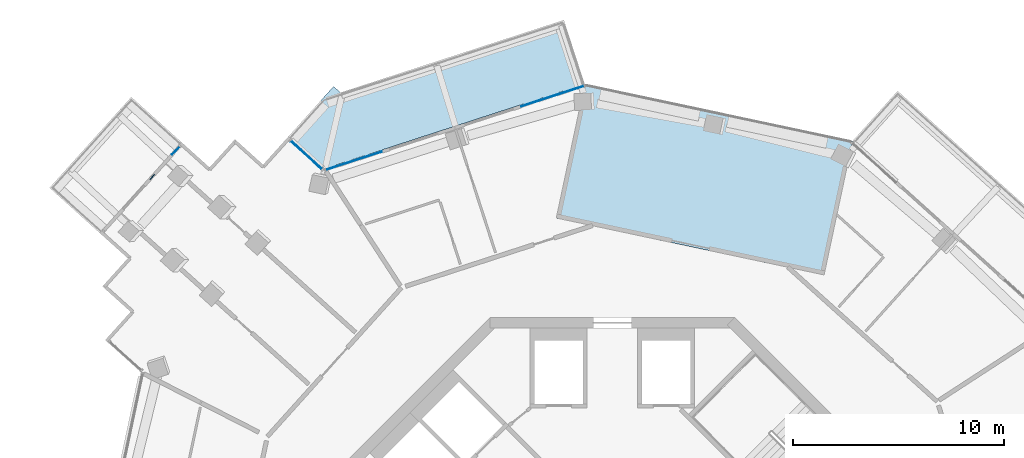
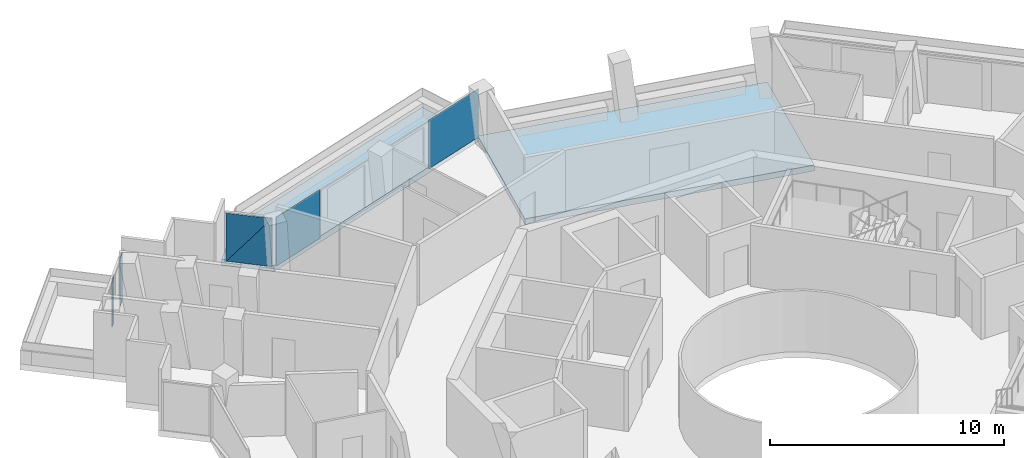
# One storey, part 12 of 22: 6 plates, 2 slabs, 3 elements without a shape of their own.
"""IFC4 building model written with IfcOpenShell, lengths in metres."""

from ifc_helpers import new_model, si_unit, direction, frame, origin, origin_2d, place, context, subcontext, project, spatial, polyline, rectangle, outline, extrude, material, layer, layer_set, type_object, element, aggregate, save


model = new_model("IFC4")

# Units and contexts
model_context = context("Model", 3, precision=1e-05, world=origin(), true_north=direction((0.0, 1.0)))
body_context = subcontext(model_context, "Body", "Model", "MODEL_VIEW")
ifc_project = project(units=[si_unit("LENGTHUNIT", "METRE"), si_unit("AREAUNIT", "SQUARE_METRE"), si_unit("VOLUMEUNIT", "CUBIC_METRE"), si_unit("PLANEANGLEUNIT", "RADIAN"), si_unit("MASSUNIT", "GRAM", prefix="KILO")], contexts=[model_context])

# Site, building, storey
site_placement = place(None, origin())
site = spatial("IfcSite", under=ifc_project, at=site_placement, CompositionType="ELEMENT")
building_placement = place(site_placement, origin())
building = spatial("IfcBuilding", under=site, at=building_placement, Name="Verdalira Terraces Hotel", CompositionType="ELEMENT")
storey_placement = place(building_placement, frame((0.0, 0.0, 230.5)))
storey = spatial("IfcBuildingStorey", under=building, at=storey_placement, Name="L56", CompositionType="ELEMENT", Elevation=230.5)

# Slab
ifc_material_1 = material(Name="Precast concrete C40/50", Category="concrete")
ifc_layer_1 = layer(ifc_material_1, 0.31005859375)
ifc_layer_set_1 = layer_set([ifc_layer_1], Name="Balcony deck 310")
slab_type_1 = type_object("IfcSlabType", Name="Balcony deck 310", PredefinedType="FLOOR", material=ifc_layer_set_1)
slab_1_placement = place(storey_placement, frame((0.0, 0.0, -0.310059)))
element("IfcSlab", 1, at=slab_1_placement, inside=storey, type_object=slab_type_1, Name="Balcony deck", PredefinedType="FLOOR", context=body_context, shape_type="SweptSolid", body=[
    extrude(outline(polyline([(-12.909912, 24.676758), (-13.236816, 24.971191), (-15.378174, 22.593018), (-13.678223, 21.0625), (-1.314453, 25.07959), (-2.303223, 28.123047), (-12.909912, 24.676758)])), origin(), (0.0, 0.0, 1.0), 0.310059),
])

# Curtain wall, plates
ifc_material_2 = material(Name="Clear glass", Category="glass")
ifc_layer_2 = layer(ifc_material_2, 0.14990234375)
ifc_layer_set_2 = layer_set([ifc_layer_2], Name="CW1 curtain wall")
curtain_wall_type_1 = type_object("IfcCurtainWallType", Name="CW1 curtain wall", PredefinedType="NOTDEFINED", material=ifc_layer_set_2)
curtain_wall_1_placement = place(storey_placement, origin())
curtain_wall_1 = element("IfcCurtainWall", 2, at=curtain_wall_1_placement, inside=storey, type_object=curtain_wall_type_1, Name="CW1 curtain wall L56 edge 41", PredefinedType="NOTDEFINED")
ifc_material_3 = material(Name="Clear glass", Category="glass")
ifc_layer_3 = layer(ifc_material_3, 0.028076171875)
ifc_layer_set_3 = layer_set([ifc_layer_3], Name="CW1 glass unit 28")
plate_type_1 = type_object("IfcPlateType", Name="CW1 glass unit 28", PredefinedType="CURTAIN_PANEL", material=ifc_layer_set_3)
plate_1_placement = place(storey_placement, frame((-2.841309, 24.504639, 0.0), z_axis=(0.0, 0.0, 1.0), x_axis=(-0.951056516, -0.309016994, 0.0)))
plate_1 = element("IfcPlate", 3, at=plate_1_placement, type_object=plate_type_1, Name="CW1 glass unit", PredefinedType="CURTAIN_PANEL", context=body_context, shape_type="SweptSolid", body=[
    extrude(rectangle(XDim=3.139893, YDim=0.028076, at=origin_2d()), origin(), (0.0, 0.0, 1.0), 2.524902),
])
plate_2_placement = place(storey_placement, frame((-12.276611, 21.438965, 0.0), z_axis=(0.0, 0.0, 1.0), x_axis=(-0.951056516, -0.309016994, 0.0)))
plate_2 = element("IfcPlate", 4, at=plate_2_placement, type_object=plate_type_1, Name="CW1 glass unit", PredefinedType="CURTAIN_PANEL", context=body_context, shape_type="SweptSolid", body=[
    extrude(rectangle(XDim=2.778809, YDim=0.028076, at=origin_2d()), origin(), (0.0, 0.0, 1.0), 2.524902),
])
aggregate(curtain_wall_1, [plate_1, plate_2])

ifc_material_4 = material(Name="Clear glass", Category="glass")
ifc_layer_4 = layer(ifc_material_4, 0.14990234375)
ifc_layer_set_4 = layer_set([ifc_layer_4], Name="CW2 curtain wall")
curtain_wall_type_2 = type_object("IfcCurtainWallType", Name="CW2 curtain wall", PredefinedType="NOTDEFINED", material=ifc_layer_set_4)
curtain_wall_2_placement = place(storey_placement, origin())
curtain_wall_2 = element("IfcCurtainWall", 5, at=curtain_wall_2_placement, inside=storey, type_object=curtain_wall_type_2, Name="CW2 curtain wall L56 edge 0", PredefinedType="NOTDEFINED")
ifc_material_5 = material(Name="Clear glass", Category="glass")
ifc_layer_5 = layer(ifc_material_5, 0.031982421875)
ifc_layer_set_5 = layer_set([ifc_layer_5], Name="CW2 glass unit 32")
plate_type_2 = type_object("IfcPlateType", Name="CW2 glass unit 32", PredefinedType="CURTAIN_PANEL", material=ifc_layer_set_5)
plate_3_placement = place(storey_placement, frame((-14.533203, 21.709961, 1.262451), z_axis=(0.669130606, 0.743144825, 0.0), x_axis=(-0.743144825, 0.669130606, 0.0)))
plate_3 = element("IfcPlate", 6, at=plate_3_placement, type_object=plate_type_2, Name="CW2 glass unit", PredefinedType="CURTAIN_PANEL", context=body_context, shape_type="SweptSolid", body=[
    extrude(outline(polyline([(-0.998779, -1.262451), (0.998779, -1.262451), (-0.998779, 1.262451), (-0.998779, -1.262451)])), origin(), (0.0, 0.0, 1.0), 0.031982),
])
plate_4_placement = place(storey_placement, frame((-14.555176, 21.685547, 1.262451), z_axis=(0.669130606, 0.743144825, 0.0), x_axis=(-0.743144825, 0.669130606, 0.0)))
plate_4 = element("IfcPlate", 7, at=plate_4_placement, type_object=plate_type_2, Name="CW2 glass unit", PredefinedType="CURTAIN_PANEL", context=body_context, shape_type="SweptSolid", body=[
    extrude(outline(polyline([(0.998779, -1.262451), (0.998779, 1.262451), (-0.998779, 1.262451), (0.998779, -1.262451)])), origin(), (0.0, 0.0, 1.0), 0.031982),
])
aggregate(curtain_wall_2, [plate_3, plate_4])

ifc_material_6 = material(Name="Clear glass", Category="glass")
ifc_layer_6 = layer(ifc_material_6, 0.14990234375)
ifc_layer_set_6 = layer_set([ifc_layer_6], Name="CW3 curtain wall")
curtain_wall_type_3 = type_object("IfcCurtainWallType", Name="CW3 curtain wall", PredefinedType="NOTDEFINED", material=ifc_layer_set_6)
curtain_wall_3_placement = place(storey_placement, origin())
curtain_wall_3 = element("IfcCurtainWall", 8, at=curtain_wall_3_placement, inside=storey, type_object=curtain_wall_type_3, Name="CW3 curtain wall L56 edge 5", PredefinedType="NOTDEFINED")
ifc_material_7 = material(Name="Clear glass", Category="glass")
ifc_layer_7 = layer(ifc_material_7, 0.035888671875)
ifc_layer_set_7 = layer_set([ifc_layer_7], Name="CW3 glass unit 36")
plate_type_3 = type_object("IfcPlateType", Name="CW3 glass unit 36", PredefinedType="CURTAIN_PANEL", material=ifc_layer_set_7)
plate_5_placement = place(storey_placement, frame((-20.731201, 21.916016, 0.0), z_axis=(0.0, 0.0, 1.0), x_axis=(-0.669130606, -0.743144825, 0.0)))
plate_5 = element("IfcPlate", 9, at=plate_5_placement, type_object=plate_type_3, Name="CW3 glass unit", PredefinedType="CURTAIN_PANEL", context=body_context, shape_type="SweptSolid", body=[
    extrude(rectangle(XDim=0.51001, YDim=0.035889, at=origin_2d()), origin(), (0.0, 0.0, 1.0), 2.524902),
])
plate_6_placement = place(storey_placement, frame((-21.845459, 20.678223, 0.0), z_axis=(0.0, 0.0, 1.0), x_axis=(-0.669130606, -0.743144825, 0.0)))
plate_6 = element("IfcPlate", 10, at=plate_6_placement, type_object=plate_type_3, Name="CW3 glass unit", PredefinedType="CURTAIN_PANEL", context=body_context, shape_type="SweptSolid", body=[
    extrude(rectangle(XDim=0.318848, YDim=0.035889, at=origin_2d()), origin(), (0.0, 0.0, 1.0), 2.524902),
])
aggregate(curtain_wall_3, [plate_5, plate_6])

# Slab
ifc_material_8 = material(Name="Concrete C40", Category="concrete")
ifc_layer_8 = layer(ifc_material_8, 0.31005859375)
ifc_layer_set_8 = layer_set([ifc_layer_8], Name="Loggia floor deck 310 C40")
slab_type_2 = type_object("IfcSlabType", Name="Loggia floor deck 310 C40", PredefinedType="FLOOR", material=ifc_layer_set_8)
slab_2_placement = place(storey_placement, frame((0.0, 0.0, -0.310059)))
element("IfcSlab", 11, at=slab_2_placement, inside=storey, type_object=slab_type_2, Name="Loggia deck L56", PredefinedType="FLOOR", context=body_context, shape_type="SweptSolid", body=[
    extrude(outline(polyline([(-2.665771, 18.72168), (10.050049, 16.018799), (11.401611, 22.376709), (-1.314453, 25.07959), (-1.314453, 25.07959), (-2.665771, 18.72168)])), origin(), (0.0, 0.0, 1.0), 0.310059),
])

save(model, "model.ifc")
